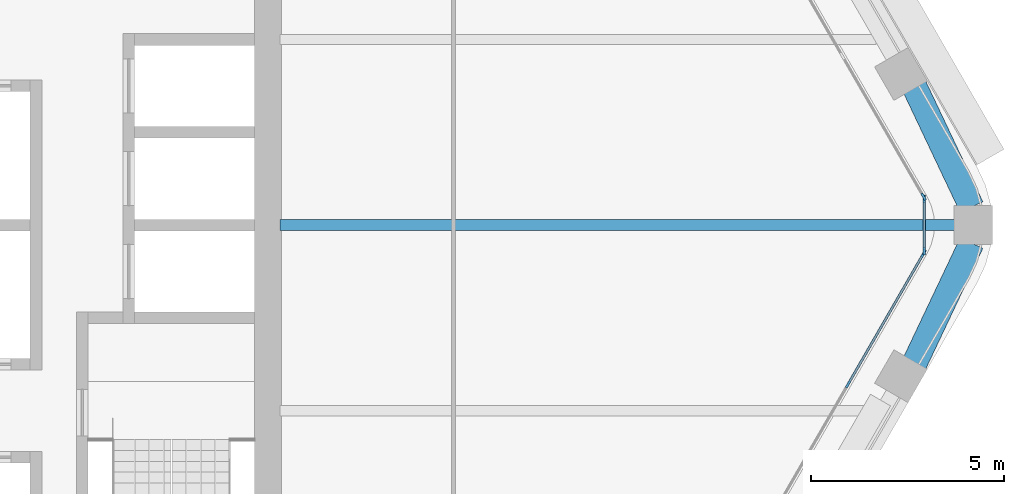
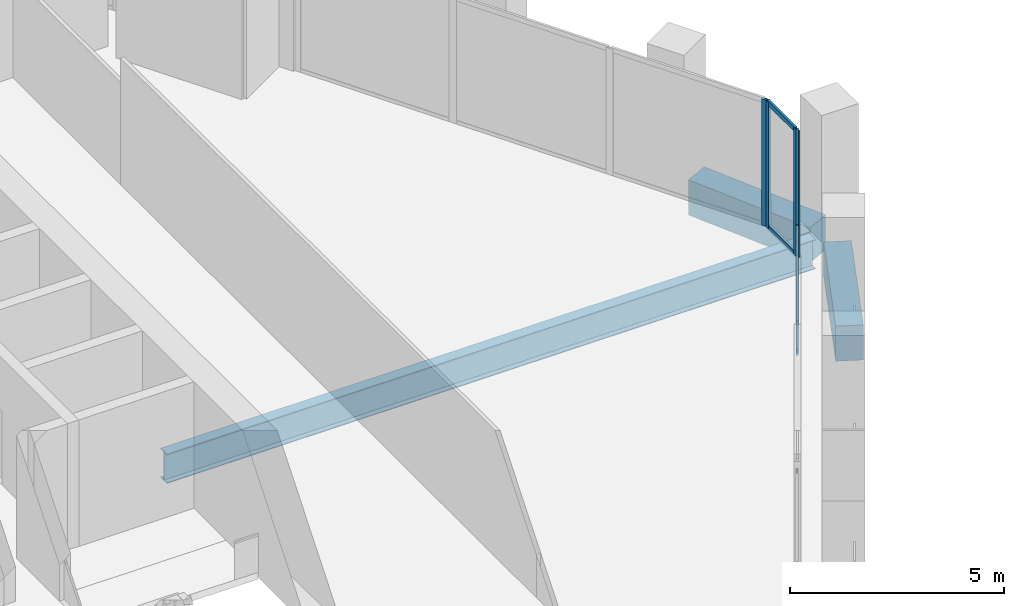
# One storey, part 5 of 18: 9 members, 3 beams, 3 elements without a shape of their own.
"""IFC4 building model written with IfcOpenShell, lengths in metres."""

from ifc_helpers import new_model, si_unit, direction, frame, origin, origin_2d, place, context, subcontext, project, spatial, rectangle, i_section, extrude, material, material_profile, profile_set, type_object, element, aggregate, save


model = new_model("IFC4")

# Units and contexts
model_context = context("Model", 3, precision=1e-05, world=origin(), true_north=direction((0.0, 1.0)))
body_context = subcontext(model_context, "Body", "Model", "MODEL_VIEW")
ifc_project = project(units=[si_unit("LENGTHUNIT", "METRE"), si_unit("AREAUNIT", "SQUARE_METRE"), si_unit("VOLUMEUNIT", "CUBIC_METRE"), si_unit("PLANEANGLEUNIT", "RADIAN"), si_unit("MASSUNIT", "GRAM", prefix="KILO")], contexts=[model_context])

# Site, building, storey
site_placement = place(None, origin())
site = spatial("IfcSite", under=ifc_project, at=site_placement, CompositionType="ELEMENT")
building_placement = place(site_placement, origin())
building = spatial("IfcBuilding", under=site, at=building_placement, Name="Kolab Exchange Tower", CompositionType="ELEMENT")
storey_placement = place(building_placement, frame((0.0, 0.0, 212.89990234375)))
storey = spatial("IfcBuildingStorey", under=building, at=storey_placement, Name="L46", CompositionType="ELEMENT", Elevation=212.89990234375)

# Beams
ifc_material_1 = material(Name="Steel S355", Category="steel")
ifc_material_profile_1 = material_profile(ifc_material_1, i_section(OverallWidth=0.2919921875, OverallDepth=0.840087890625, WebThickness=0.0146484375, FlangeThickness=0.021728515625, at=origin_2d()), Name="W840X193")
ifc_profile_set_1 = profile_set([ifc_material_profile_1], Name="Steel S355")
beam_type_1 = type_object("IfcBeamType", Name="FLOOR BEAM W840X193", PredefinedType="BEAM", material=ifc_profile_set_1)
beam_placement = place(storey_placement, frame((9.909912109375, 0.0, -0.56982421875), z_axis=(1.0, 0.0, 0.0), x_axis=(0.0, 1.0, 0.0)))
element("IfcBeam", 1, at=beam_placement, inside=storey, type_object=beam_type_1, Name="beam/L46/fr/026", PredefinedType="BEAM", context=body_context, shape_type="SweptSolid", body=[
    extrude(i_section(OverallWidth=0.2919921875, OverallDepth=0.840087890625, WebThickness=0.0146484375, FlangeThickness=0.021728515625, at=origin_2d()), origin(), (0.0, 0.0, 1.0), 17.466064453125),
])
ifc_material_2 = material(Name="Concrete C60/75", Category="concrete")
ifc_material_profile_2 = material_profile(ifc_material_2, rectangle(XDim=0.64990234375, YDim=1.0, at=origin_2d()), Name="RC650X1000")
ifc_profile_set_2 = profile_set([ifc_material_profile_2], Name="Concrete C60/75")
beam_type_2 = type_object("IfcBeamType", Name="SPANDREL BEAM 650X1000 C60/75", PredefinedType="BEAM", material=ifc_profile_set_2)
for number, where, z_axis, x_axis, name in (
    (2, (26.316162109375, 3.5771484375, -0.64990234375), (0.428177731975, -0.903694544545, 0.0), (0.903694544545, 0.428177731975, 0.0), "beam/L46/sp/F2-06"),
    (3, (27.791259765625, -0.4638671875, -0.64990234375), (-0.428177731975, -0.903694544545, 0.0), (0.903694544545, -0.428177731975, 0.0), "beam/L46/sp/F3-01"),
):
    element("IfcBeam", number, at=place(storey_placement, frame(where, z_axis=z_axis, x_axis=x_axis)), inside=storey, type_object=beam_type_2, Name=name, PredefinedType="BEAM", context=body_context, shape_type="SweptSolid", body=[
        extrude(rectangle(XDim=0.64990234375, YDim=1.0, at=origin_2d()), origin(), (0.0, 0.0, 1.0), 3.445068359375),
    ])

# Curtain wall, member
ifc_material_3 = material(Name="Aluminium EN AW-6063 T6", Category="aluminium")
curtain_wall_type = type_object("IfcCurtainWallType", Name="UNITISED UPPER MID ZONE CURTAIN WALL", PredefinedType="NOTDEFINED", material=ifc_material_3)
curtain_wall_1_placement = place(storey_placement, origin())
curtain_wall_1 = element("IfcCurtainWall", 4, at=curtain_wall_1_placement, inside=storey, type_object=curtain_wall_type, Name="cw/L46/F2-2", PredefinedType="NOTDEFINED")
ifc_material_profile_3 = material_profile(ifc_material_3, rectangle(XDim=0.06005859375, YDim=0.199951171875, at=origin_2d()), Name="RECT 60X200")
ifc_profile_set_3 = profile_set([ifc_material_profile_3], Name="Aluminium EN AW-6063 T6")
member_type_1 = type_object("IfcMemberType", Name="UNITISED UPPER MID ZONE MULLION 60 X 200", PredefinedType="MULLION", material=ifc_profile_set_3)
member_1_placement = place(storey_placement, frame((26.550537109375, 0.736083984375, 0.0), z_axis=(0.0, 0.0, 1.0), x_axis=(0.866025427826, 0.499999958358, 0.0)))
member_1 = element("IfcMember", 5, at=member_1_placement, type_object=member_type_1, Name="CW3 mullion 4", PredefinedType="MULLION", context=body_context, shape_type="SweptSolid", body=[
    extrude(rectangle(XDim=0.06005859375, YDim=0.199951171875, at=origin_2d()), origin(), (0.0, 0.0, 1.0), 3.60009765625),
])
aggregate(curtain_wall_1, [member_1])

# Curtain wall, members
curtain_wall_2_placement = place(storey_placement, origin())
curtain_wall_2 = element("IfcCurtainWall", 6, at=curtain_wall_2_placement, inside=storey, type_object=curtain_wall_type, Name="cw/L46/F3-1", PredefinedType="NOTDEFINED")
member_2_placement = place(storey_placement, frame((26.550537109375, -0.736083984375, 0.0), z_axis=(0.0, 0.0, 1.0), x_axis=(0.866025440524, -0.499999936366, 0.0)))
member_2 = element("IfcMember", 7, at=member_2_placement, type_object=member_type_1, Name="CW3 mullion 1", PredefinedType="MULLION", context=body_context, shape_type="SweptSolid", body=[
    extrude(rectangle(XDim=0.06005859375, YDim=0.199951171875, at=origin_2d()), origin(), (0.0, 0.0, 1.0), 3.60009765625),
])
member_3_placement = place(storey_placement, frame((24.5986328125, -4.116943359375, 0.0), z_axis=(0.0, 0.0, 1.0), x_axis=(0.866025440524, -0.499999936366, 0.0)))
member_3 = element("IfcMember", 8, at=member_3_placement, type_object=member_type_1, Name="CW3 mullion 2", PredefinedType="MULLION", context=body_context, shape_type="SweptSolid", body=[
    extrude(rectangle(XDim=0.06005859375, YDim=0.199951171875, at=origin_2d()), origin(), (0.0, 0.0, 1.0), 3.60009765625),
])

curtain_wall_3_placement = place(storey_placement, origin())
curtain_wall_3 = element("IfcCurtainWall", 9, at=curtain_wall_3_placement, inside=storey, type_object=curtain_wall_type, Name="cw/L46/F2F3-corner", PredefinedType="NOTDEFINED")
member_4_placement = place(storey_placement, frame((26.565673828125, 0.679931640625, 0.0), z_axis=(0.0, 0.0, 1.0), x_axis=(1.0, 0.0, 0.0)))
member_4 = element("IfcMember", 10, at=member_4_placement, type_object=member_type_1, Name="CW3 mullion 1", PredefinedType="MULLION", context=body_context, shape_type="SweptSolid", body=[
    extrude(rectangle(XDim=0.06005859375, YDim=0.199951171875, at=origin_2d()), origin(), (0.0, 0.0, 1.0), 3.60009765625),
])
member_5_placement = place(storey_placement, frame((26.565673828125, -0.679931640625, 0.0), z_axis=(0.0, 0.0, 1.0), x_axis=(1.0, 0.0, 0.0)))
member_5 = element("IfcMember", 11, at=member_5_placement, type_object=member_type_1, Name="CW3 mullion 2", PredefinedType="MULLION", context=body_context, shape_type="SweptSolid", body=[
    extrude(rectangle(XDim=0.06005859375, YDim=0.199951171875, at=origin_2d()), origin(), (0.0, 0.0, 1.0), 3.60009765625),
])

# Member
ifc_material_profile_4 = material_profile(ifc_material_3, rectangle(XDim=0.06005859375, YDim=0.139892578125, at=origin_2d()), Name="RECT 60X140")
ifc_profile_set_4 = profile_set([ifc_material_profile_4], Name="Aluminium EN AW-6063 T6")
member_type_2 = type_object("IfcMemberType", Name="UNITISED UPPER MID ZONE TRANSOM 60 X 140", PredefinedType="USERDEFINED", material=ifc_profile_set_4)
member_6_placement = place(storey_placement, frame((26.53564453125, -0.761962890625, 0.030029296875), z_axis=(-0.499991857942, -0.866030104553, 0.0), x_axis=(0.866030104553, -0.499991857942, 0.0)))
member_6 = element("IfcMember", 12, at=member_6_placement, type_object=member_type_2, Name="CW3 transom 1.1", ObjectType="TRANSOM", PredefinedType="USERDEFINED", context=body_context, shape_type="SweptSolid", body=[
    extrude(rectangle(XDim=0.06005859375, YDim=0.139892578125, at=origin_2d()), origin(), (0.0, 0.0, 1.0), 3.84375),
])

member_7_placement = place(storey_placement, frame((26.53564453125, -0.761962890625, 3.570068359375), z_axis=(-0.499991857942, -0.866030104553, 0.0), x_axis=(0.866030104553, -0.499991857942, 0.0)))
member_7 = element("IfcMember", 13, at=member_7_placement, type_object=member_type_2, Name="CW3 transom 1.2", ObjectType="TRANSOM", PredefinedType="USERDEFINED", context=body_context, shape_type="SweptSolid", body=[
    extrude(rectangle(XDim=0.06005859375, YDim=0.139892578125, at=origin_2d()), origin(), (0.0, 0.0, 1.0), 3.84375),
])

aggregate(curtain_wall_2, [member_2, member_3, member_6, member_7])

member_8_placement = place(storey_placement, frame((26.565673828125, 0.64990234375, 0.030029296875), z_axis=(0.0, -1.0, 0.0), x_axis=(1.0, 0.0, 0.0)))
member_8 = element("IfcMember", 14, at=member_8_placement, type_object=member_type_2, Name="CW3 transom 1.1", ObjectType="TRANSOM", PredefinedType="USERDEFINED", context=body_context, shape_type="SweptSolid", body=[
    extrude(rectangle(XDim=0.06005859375, YDim=0.139892578125, at=origin_2d()), origin(), (0.0, 0.0, 1.0), 1.2998046875),
])

member_9_placement = place(storey_placement, frame((26.565673828125, 0.64990234375, 3.570068359375), z_axis=(0.0, -1.0, 0.0), x_axis=(1.0, 0.0, 0.0)))
member_9 = element("IfcMember", 15, at=member_9_placement, type_object=member_type_2, Name="CW3 transom 1.2", ObjectType="TRANSOM", PredefinedType="USERDEFINED", context=body_context, shape_type="SweptSolid", body=[
    extrude(rectangle(XDim=0.06005859375, YDim=0.139892578125, at=origin_2d()), origin(), (0.0, 0.0, 1.0), 1.2998046875),
])

aggregate(curtain_wall_3, [member_4, member_5, member_8, member_9])

save(model, "model.ifc")
